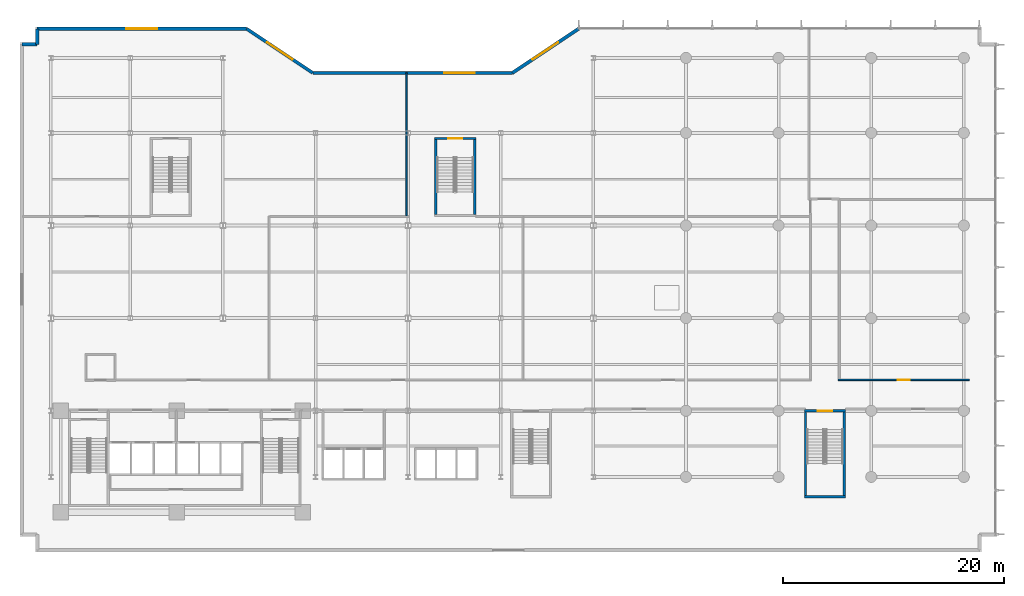
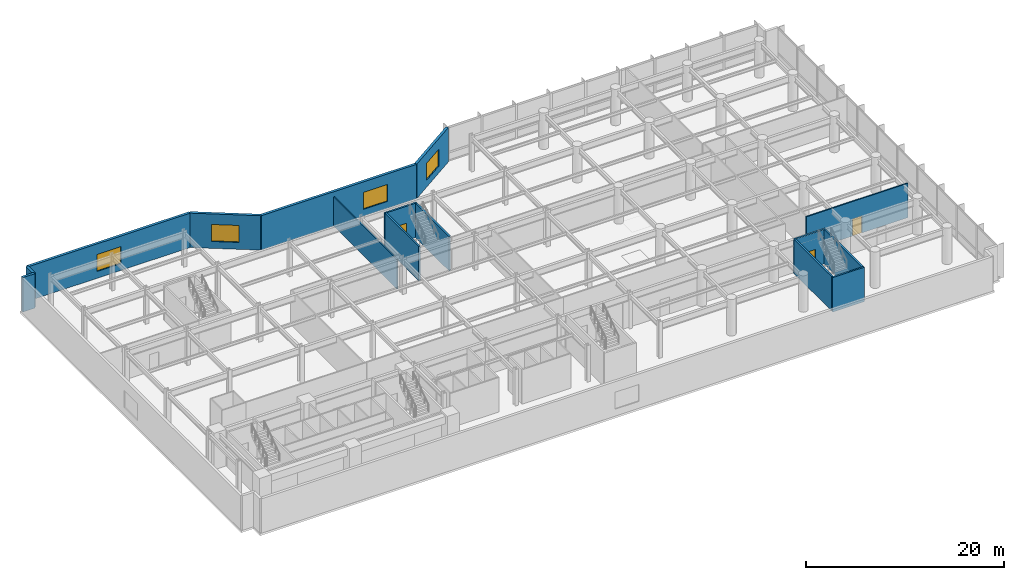
# One storey, part 17 of 26: 15 walls, 4 windows, 3 doors, 7 openings.
"""IFC4 building model written with IfcOpenShell, lengths in metres."""

import ifcopenshell
import ifcopenshell.guid

model = None  # the IFC model being written
_history = None  # IfcOwnerHistory: only IFC2X3 demands one
_inside = {}  # id of a spatial element -> (the spatial element, [elements in it])
_under = {}  # id of a project, library or spatial element -> (it, [spatial elements below it])
_declared = {}  # id of a project -> (the project, [libraries it declares])
_typed = {}  # id of a type object -> (the type object, [elements of that type])
_made_of = {}  # id of a material, layer set ... -> (it, [elements and type objects made of it])


def new_model(schema):
    """Start an empty IFC model of exactly this schema.

    Asked for "IFC4X3", IfcOpenShell would pick the latest addendum, in which some entities
    have other attributes; the version numbers below select the first issue.
    IFC2X3 requires an IfcOwnerHistory on every rooted entity: one is made here for all.
    """
    global model, _history
    if schema == "IFC4X3":
        model = ifcopenshell.file(schema_version=(4, 3, 0, 0))
    else:
        model = ifcopenshell.file(schema=schema)
    _inside.clear()
    _under.clear()
    _declared.clear()
    _typed.clear()
    _made_of.clear()
    _history = None
    if model.schema == "IFC2X3":
        org = make("IfcOrganization", Name="unknown")
        user = make(
            "IfcPersonAndOrganization",
            ThePerson=make("IfcPerson", FamilyName="unknown"),
            TheOrganization=org,
        )
        app = make(
            "IfcApplication",
            ApplicationDeveloper=org,
            Version="unknown",
            ApplicationFullName="unknown",
            ApplicationIdentifier="unknown",
        )
        _history = make(
            "IfcOwnerHistory",
            OwningUser=user,
            OwningApplication=app,
            ChangeAction="ADDED",
            CreationDate=0,
        )
    return model


def make(cls, **values):
    """One entity of the class cls with the attributes given. An attribute that is None is left unset."""
    return model.create_entity(
        cls, **{name: value for name, value in values.items() if value is not None}
    )


def rooted(cls, **values):
    """An entity with a GlobalId (a new one), such as an element, a storey or a relation."""
    return make(cls, GlobalId=ifcopenshell.guid.new(), OwnerHistory=_history, **values)


def si_unit(unit_type, name, prefix=None):
    """IfcSIUnit, for example si_unit("LENGTHUNIT", "METRE", prefix="MILLI")."""
    return make("IfcSIUnit", UnitType=unit_type, Prefix=prefix, Name=name)


def assignment(units):
    """IfcUnitAssignment: the units of a project."""
    return None if units is None else make("IfcUnitAssignment", Units=units)


def point(xyz):
    """IfcCartesianPoint."""
    return None if xyz is None else make("IfcCartesianPoint", Coordinates=xyz)


def direction(xyz):
    """IfcDirection."""
    return None if xyz is None else make("IfcDirection", DirectionRatios=xyz)


def frame(location, z_axis=None, x_axis=None):
    """IfcAxis2Placement3D, a coordinate frame: its origin and axes. An axis left out is left unset."""
    return make(
        "IfcAxis2Placement3D",
        Location=point(location),
        Axis=direction(z_axis),
        RefDirection=direction(x_axis),
    )


def frame_2d(location, x_axis=None):
    """IfcAxis2Placement2D, a coordinate frame in the plane: its origin and x axis."""
    return make(
        "IfcAxis2Placement2D", Location=point(location), RefDirection=direction(x_axis)
    )


def origin():
    """The frame at (0, 0, 0) with its axes left unset."""
    return frame((0.0, 0.0, 0.0))


def place(relative_to, where):
    """IfcLocalPlacement: puts the frame where relative to a parent placement (None: the world)."""
    return make(
        "IfcLocalPlacement", PlacementRelTo=relative_to, RelativePlacement=where
    )


def context(
    kind, dimensions, precision=None, world=None, true_north=None, identifier=None
):
    """IfcGeometricRepresentationContext, for example the 3D "Model" context."""
    return make(
        "IfcGeometricRepresentationContext",
        ContextIdentifier=identifier,
        ContextType=kind,
        CoordinateSpaceDimension=dimensions,
        Precision=precision,
        WorldCoordinateSystem=world,
        TrueNorth=true_north,
    )


def subcontext(parent, identifier, kind, view, scale=None):
    """IfcGeometricRepresentationSubContext, for example "Body" below "Model"."""
    return make(
        "IfcGeometricRepresentationSubContext",
        ContextIdentifier=identifier,
        ContextType=kind,
        ParentContext=parent,
        TargetScale=scale,
        TargetView=view,
    )


def project(units=None, contexts=None):
    """IfcProject with its units and contexts."""
    return rooted(
        "IfcProject",
        Name="project",
        RepresentationContexts=contexts,
        UnitsInContext=assignment(units),
    )


def spatial(cls, under=None, at=None, **own):
    """A site, building, storey or space (cls), placed at a placement, below another one or the project."""
    s = rooted(cls, ObjectPlacement=at, **own)
    if under is not None:
        _under.setdefault(under.id(), (under, []))[1].append(s)
    return s


def profile(cls, at=None, kind="AREA", **sizes):
    """A parametric profile (cls). Its sizes go by their IFC names, for example OverallWidth=200.0."""
    return make(cls, ProfileType=kind, Position=at, **sizes)


def rectangle(**sizes):
    """IfcRectangleProfileDef."""
    return profile("IfcRectangleProfileDef", **sizes)


def extrude(swept, where, along, depth):
    """IfcExtrudedAreaSolid: the profile swept, set in the frame where, extruded along a direction by depth."""
    return make(
        "IfcExtrudedAreaSolid",
        SweptArea=swept,
        Position=where,
        ExtrudedDirection=direction(along),
        Depth=depth,
    )


def shape(context_of_items, identifier, shape_type, items):
    """IfcShapeRepresentation: the items that make up one representation, for example the "Body"."""
    return make(
        "IfcShapeRepresentation",
        ContextOfItems=context_of_items,
        RepresentationIdentifier=identifier,
        RepresentationType=shape_type,
        Items=items,
    )


def material(Name=None, Category=None):
    """IfcMaterial."""
    return make("IfcMaterial", Name=Name, Category=Category)


def layer(
    of_material, thickness, ventilated=None, Name=None, Category=None, Priority=None
):
    """IfcMaterialLayer: one layer of a wall or slab, of a material (None: an air gap)."""
    return make(
        "IfcMaterialLayer",
        Material=of_material,
        LayerThickness=thickness,
        IsVentilated=ventilated,
        Name=Name,
        Category=Category,
        Priority=Priority,
    )


def layer_set(layers, Name=None):
    """IfcMaterialLayerSet."""
    return make("IfcMaterialLayerSet", MaterialLayers=layers, LayerSetName=Name)


def made_of(thing, what):
    """Note that an element or type object is made of a material, layer set ...; save() writes the relation."""
    if what is not None:
        _made_of.setdefault(what.id(), (what, []))[1].append(thing)
    return thing


def type_object(cls, material=None, **own):
    """A type object (cls), such as IfcWallType, which elements share."""
    return made_of(rooted(cls, **own), material)


def element(
    cls,
    number,
    at=None,
    inside=None,
    cuts=None,
    type_object=None,
    material=None,
    context=None,
    identifier="Body",
    shape_type=None,
    held_by="IfcProductDefinitionShape",
    body=None,
    shapes=None,
    **own,
):
    """One element of the class cls, such as IfcWall. Its Tag is "e" and its number.

    at: its placement. inside: the storey or other place that contains it. cuts: it is an
    opening in that element (IfcRelVoidsElement). A single representation is given by context,
    identifier, shape_type and body (its items); several are given by shapes. held_by: the class
    of the entity that holds the representations. save() writes the other relations.
    """
    e = rooted(cls, Tag="e%d" % number, ObjectPlacement=at, **own)
    if body is not None:
        shapes = [shape(context, identifier, shape_type, body)]
    if shapes is not None:
        e.Representation = make(held_by, Representations=shapes)
    if inside is not None:
        _inside.setdefault(inside.id(), (inside, []))[1].append(e)
    if cuts is not None:
        rooted(
            "IfcRelVoidsElement", RelatingBuildingElement=cuts, RelatedOpeningElement=e
        )
    if type_object is not None:
        _typed.setdefault(type_object.id(), (type_object, []))[1].append(e)
    return made_of(e, material)


def fill(opening, filler):
    """IfcRelFillsElement: the door or window that sits in an opening."""
    return rooted(
        "IfcRelFillsElement",
        RelatingOpeningElement=opening,
        RelatedBuildingElement=filler,
    )


def aggregate(whole, parts):
    """IfcRelAggregates: a whole, such as a stair, and the parts it consists of."""
    return rooted("IfcRelAggregates", RelatingObject=whole, RelatedObjects=parts)


def save(model, path):
    """Write the relations noted so far, then the file.

    IfcRelAggregates (storeys below a building ...), IfcRelContainedInSpatialStructure (elements
    in a storey), IfcRelDefinesByType, IfcRelAssociatesMaterial and IfcRelDeclares: one each for
    every whole, place, type object, material and project.
    """
    for whole, parts in _under.values():
        aggregate(whole, parts)
    for where, things in _inside.values():
        rooted(
            "IfcRelContainedInSpatialStructure",
            RelatedElements=things,
            RelatingStructure=where,
        )
    for kind, things in _typed.values():
        rooted("IfcRelDefinesByType", RelatedObjects=things, RelatingType=kind)
    for what, things in _made_of.values():
        rooted("IfcRelAssociatesMaterial", RelatedObjects=things, RelatingMaterial=what)
    for by, libraries in _declared.values():
        rooted("IfcRelDeclares", RelatingContext=by, RelatedDefinitions=libraries)
    model.write(path)


model = new_model("IFC4")

# Units and contexts
model_context = context("Model", 3, precision=1e-05, world=origin(), true_north=direction((0.0, 1.0)))
body_context = subcontext(model_context, "Body", "Model", "MODEL_VIEW")
ifc_project = project(units=[si_unit("LENGTHUNIT", "METRE"), si_unit("AREAUNIT", "SQUARE_METRE"), si_unit("VOLUMEUNIT", "CUBIC_METRE"), si_unit("PLANEANGLEUNIT", "RADIAN"), si_unit("MASSUNIT", "GRAM", prefix="KILO")], contexts=[model_context])

# Site, building, storey
site_placement = place(None, origin())
site = spatial("IfcSite", under=ifc_project, at=site_placement, CompositionType="ELEMENT")
building_placement = place(site_placement, origin())
building = spatial("IfcBuilding", under=site, at=building_placement, Name="Varnakote Quay Hospital", CompositionType="ELEMENT")
storey_placement = place(building_placement, frame((0.0, 0.0, 9.0)))
storey = spatial("IfcBuildingStorey", under=building, at=storey_placement, Name="L02", CompositionType="ELEMENT", Elevation=9.0)

# Wall, opening, window
ifc_material_1 = material(Name="Precast concrete N50 (f'c 50 MPa)", Category="concrete")
ifc_layer_1 = layer(ifc_material_1, 0.300048828125)
ifc_layer_set_1 = layer_set([ifc_layer_1], Name="Precast concrete N50 (f'c 50 MPa)")
wall_type_1 = type_object("IfcWallType", Name="WL-EXT-BRICK-300", PredefinedType="STANDARD", material=ifc_layer_set_1)
wall_1_placement = place(storey_placement, frame((49.04833984375, 46.639892578125, 0.0), z_axis=(0.0, 0.0, 1.0), x_axis=(-0.832050294338, -0.554700196225, 0.0)))
wall_1 = element("IfcWall", 1, at=wall_1_placement, inside=storey, type_object=wall_type_1, Name="L02 Brick-Faced Precast Exterior Wall", PredefinedType="STANDARD", context=body_context, shape_type="SweptSolid", body=[
    extrude(rectangle(XDim=7.211181640625, YDim=0.300048828125, at=frame_2d((3.60546875, 0.0))), origin(), (0.0, 0.0, 1.0), 4.25),
])
opening_1_placement = place(wall_1_placement, frame((2.20556640625, 0.0, 0.85009765625)))
opening_1 = element("IfcOpeningElement", 2, at=opening_1_placement, cuts=wall_1, Name="Opening WN-0014", PredefinedType="OPENING", context=body_context, shape_type="SweptSolid", body=[
    extrude(rectangle(XDim=2.800048828125, YDim=2.10009765625, at=frame_2d((1.39990234375, 1.050048828125))), frame((0.0, 0.159912109375, 0.0), z_axis=(0.0, -1.0, 0.0), x_axis=(1.0, 0.0, 0.0)), (0.0, 0.0, 1.0), 0.320068359375),
])
ifc_material_2 = material(Name="Double-glazed acoustic laminated glass", Category="glass")
window_type = type_object("IfcWindowType", Name="WIN-POD-2800x2100", PartitioningType="SINGLE_PANEL", PredefinedType="WINDOW", material=ifc_material_2)
window_1_placement = place(opening_1_placement, origin())
window_1 = element("IfcWindow", 3, at=window_1_placement, inside=storey, type_object=window_type, Name="L02 Solar-Control Clinical Window", OverallHeight=2.10009765625, OverallWidth=2.800048828125, PartitioningType="SINGLE_PANEL", PredefinedType="WINDOW", context=body_context, shape_type="SweptSolid", body=[
    extrude(rectangle(XDim=2.800048828125, YDim=2.10009765625, at=frame_2d((1.39990234375, 1.050048828125))), frame((0.0, 0.030029296875, 0.0), z_axis=(0.0, -1.0, 0.0), x_axis=(1.0, 0.0, 0.0)), (0.0, 0.0, 1.0), 0.06005859375),
])
fill(opening_1, window_1)

wall_2_placement = place(storey_placement, frame((43.04833984375, 42.639892578125, 0.0), z_axis=(0.0, 0.0, 1.0), x_axis=(-1.0, 0.0, 0.0)))
wall_2 = element("IfcWall", 4, at=wall_2_placement, inside=storey, type_object=wall_type_1, Name="L02 Brick-Faced Precast Exterior Wall", PredefinedType="STANDARD", context=body_context, shape_type="SweptSolid", body=[
    extrude(rectangle(XDim=18.0966796875, YDim=0.300048828125, at=frame_2d((9.04833984375, 0.0))), origin(), (0.0, 0.0, 1.0), 4.25),
])
opening_2_placement = place(wall_2_placement, frame((3.38916015625, 0.0, 0.85009765625)))
opening_2 = element("IfcOpeningElement", 5, at=opening_2_placement, cuts=wall_2, Name="Opening WN-0015", PredefinedType="OPENING", context=body_context, shape_type="SweptSolid", body=[
    extrude(rectangle(XDim=2.800048828125, YDim=2.10009765625, at=frame_2d((1.39990234375, 1.050048828125))), frame((0.0, 0.159912109375, 0.0), z_axis=(0.0, -1.0, 0.0), x_axis=(1.0, 0.0, 0.0)), (0.0, 0.0, 1.0), 0.320068359375),
])
window_2_placement = place(opening_2_placement, origin())
window_2 = element("IfcWindow", 6, at=window_2_placement, inside=storey, type_object=window_type, Name="L02 Solar-Control Clinical Window", OverallHeight=2.10009765625, OverallWidth=2.800048828125, PartitioningType="SINGLE_PANEL", PredefinedType="WINDOW", context=body_context, shape_type="SweptSolid", body=[
    extrude(rectangle(XDim=2.800048828125, YDim=2.10009765625, at=frame_2d((1.39990234375, 1.050048828125))), frame((0.0, 0.030029296875, 0.0), z_axis=(0.0, -1.0, 0.0), x_axis=(1.0, 0.0, 0.0)), (0.0, 0.0, 1.0), 0.06005859375),
])
fill(opening_2, window_2)

wall_3_placement = place(storey_placement, frame((24.95166015625, 42.639892578125, 0.0), z_axis=(0.0, 0.0, 1.0), x_axis=(-0.832050294338, 0.554700196225, 0.0)))
wall_3 = element("IfcWall", 7, at=wall_3_placement, inside=storey, type_object=wall_type_1, Name="L02 Brick-Faced Precast Exterior Wall", PredefinedType="STANDARD", context=body_context, shape_type="SweptSolid", body=[
    extrude(rectangle(XDim=7.211181640625, YDim=0.300048828125, at=frame_2d((3.60546875, 0.0))), origin(), (0.0, 0.0, 1.0), 4.25),
])
opening_3_placement = place(wall_3_placement, frame((2.20556640625, 0.0, 0.85009765625)))
opening_3 = element("IfcOpeningElement", 8, at=opening_3_placement, cuts=wall_3, Name="Opening WN-0016", PredefinedType="OPENING", context=body_context, shape_type="SweptSolid", body=[
    extrude(rectangle(XDim=2.800048828125, YDim=2.10009765625, at=frame_2d((1.39990234375, 1.050048828125))), frame((0.0, 0.159912109375, 0.0), z_axis=(0.0, -1.0, 0.0), x_axis=(1.0, 0.0, 0.0)), (0.0, 0.0, 1.0), 0.320068359375),
])
window_3_placement = place(opening_3_placement, origin())
window_3 = element("IfcWindow", 9, at=window_3_placement, inside=storey, type_object=window_type, Name="L02 Solar-Control Clinical Window", OverallHeight=2.10009765625, OverallWidth=2.800048828125, PartitioningType="SINGLE_PANEL", PredefinedType="WINDOW", context=body_context, shape_type="SweptSolid", body=[
    extrude(rectangle(XDim=2.800048828125, YDim=2.10009765625, at=frame_2d((1.39990234375, 1.050048828125))), frame((0.0, 0.030029296875, 0.0), z_axis=(0.0, -1.0, 0.0), x_axis=(1.0, 0.0, 0.0)), (0.0, 0.0, 1.0), 0.06005859375),
])
fill(opening_3, window_3)

wall_4_placement = place(storey_placement, frame((18.95166015625, 46.639892578125, 0.0), z_axis=(0.0, 0.0, 1.0), x_axis=(-1.0, 0.0, 0.0)))
wall_4 = element("IfcWall", 10, at=wall_4_placement, inside=storey, type_object=wall_type_1, Name="L02 Brick-Faced Precast Exterior Wall", PredefinedType="STANDARD", context=body_context, shape_type="SweptSolid", body=[
    extrude(rectangle(XDim=18.99169921875, YDim=0.300048828125, at=frame_2d((9.495849609375, 0.0))), origin(), (0.0, 0.0, 1.0), 4.25),
])
opening_4_placement = place(wall_4_placement, frame((8.095703125, 0.0, 0.85009765625)))
opening_4 = element("IfcOpeningElement", 11, at=opening_4_placement, cuts=wall_4, Name="Opening WN-0017", PredefinedType="OPENING", context=body_context, shape_type="SweptSolid", body=[
    extrude(rectangle(XDim=2.800048828125, YDim=2.10009765625, at=frame_2d((1.39990234375, 1.050048828125))), frame((0.0, 0.159912109375, 0.0), z_axis=(0.0, -1.0, 0.0), x_axis=(1.0, 0.0, 0.0)), (0.0, 0.0, 1.0), 0.320068359375),
])
window_4_placement = place(opening_4_placement, origin())
window_4 = element("IfcWindow", 12, at=window_4_placement, inside=storey, type_object=window_type, Name="L02 Solar-Control Clinical Window", OverallHeight=2.10009765625, OverallWidth=2.800048828125, PartitioningType="SINGLE_PANEL", PredefinedType="WINDOW", context=body_context, shape_type="SweptSolid", body=[
    extrude(rectangle(XDim=2.800048828125, YDim=2.10009765625, at=frame_2d((1.39990234375, 1.050048828125))), frame((0.0, 0.030029296875, 0.0), z_axis=(0.0, -1.0, 0.0), x_axis=(1.0, 0.0, 0.0)), (0.0, 0.0, 1.0), 0.06005859375),
])
fill(opening_4, window_4)

# Walls
for number, where, z_axis, x_axis, name in (
    (13, (-0.0400390625, 46.639892578125, 0.0), (0.0, 0.0, 1.0), (0.0, -1.0, 0.0), "L02 Brick-Faced Precast Exterior Wall"),
    (14, (-0.0400390625, 45.239990234375, 0.0), (0.0, 0.0, 1.0), (-1.0, 0.0, 0.0), "L02 Brick-Faced Precast Exterior Wall"),
):
    element("IfcWall", number, at=place(storey_placement, frame(where, z_axis=z_axis, x_axis=x_axis)), inside=storey, type_object=wall_type_1, Name=name, PredefinedType="STANDARD", context=body_context, shape_type="SweptSolid", body=[
        extrude(rectangle(XDim=1.39990234375, YDim=0.300048828125, at=frame_2d((0.699951171875, 0.0))), origin(), (0.0, 0.0, 1.0), 4.25),
    ])
ifc_material_3 = material(Name="Concrete N50 (f'c 50 MPa)", Category="concrete")
ifc_layer_2 = layer(ifc_material_3, 0.199951171875)
ifc_layer_set_2 = layer_set([ifc_layer_2], Name="Concrete N50 (f'c 50 MPa)")
wall_type_2 = type_object("IfcWallType", Name="WL-SHAFT-N50-200", PredefinedType="SHEAR", material=ifc_layer_set_2)
wall_5_placement = place(storey_placement, frame((69.550048828125, 4.199951171875, 0.0), z_axis=(0.0, 0.0, 1.0), x_axis=(1.0, 0.0, 0.0)))
element("IfcWall", 15, at=wall_5_placement, inside=storey, type_object=wall_type_2, Name="L02 Stair ST6 South Shaft Wall", PredefinedType="SHEAR", context=body_context, shape_type="SweptSolid", body=[
    extrude(rectangle(XDim=3.699951171875, YDim=0.199951171875, at=frame_2d((1.85009765625, 0.0))), origin(), (0.0, 0.0, 1.0), 4.25),
])
for number, where, z_axis, x_axis, name in (
    (16, (69.64990234375, 4.300048828125, 0.0), (0.0, 0.0, 1.0), (0.0, 1.0, 0.0), "L02 Stair ST6 West Shaft Wall"),
    (17, (73.14990234375, 4.300048828125, 0.0), (0.0, 0.0, 1.0), (0.0, 1.0, 0.0), "L02 Stair ST6 East Shaft Wall"),
):
    element("IfcWall", number, at=place(storey_placement, frame(where, z_axis=z_axis, x_axis=x_axis)), inside=storey, type_object=wall_type_2, Name=name, PredefinedType="SHEAR", context=body_context, shape_type="SweptSolid", body=[
        extrude(rectangle(XDim=7.599853515625, YDim=0.199951171875, at=frame_2d((3.7998046875, 0.0))), origin(), (0.0, 0.0, 1.0), 4.25),
    ])

# Wall, opening, door
wall_6_placement = place(storey_placement, frame((69.550048828125, 12.0, 0.0), z_axis=(0.0, 0.0, 1.0), x_axis=(1.0, 0.0, 0.0)))
wall_6 = element("IfcWall", 18, at=wall_6_placement, inside=storey, type_object=wall_type_2, Name="L02 Stair ST6 Exit Wall", PredefinedType="SHEAR", context=body_context, shape_type="SweptSolid", body=[
    extrude(rectangle(XDim=3.699951171875, YDim=0.199951171875, at=frame_2d((1.85009765625, 0.0))), origin(), (0.0, 0.0, 1.0), 4.25),
])
opening_5_placement = place(wall_6_placement, frame((1.199951171875, 0.0, 0.0)))
opening_5 = element("IfcOpeningElement", 19, at=opening_5_placement, cuts=wall_6, Name="Opening D-ST6-L02", PredefinedType="OPENING", context=body_context, shape_type="SweptSolid", body=[
    extrude(rectangle(XDim=1.300048828125, YDim=2.14990234375, at=frame_2d((0.64990234375, 1.074951171875))), frame((0.0, 0.10986328125, 0.0), z_axis=(0.0, -1.0, 0.0), x_axis=(1.0, 0.0, 0.0)), (0.0, 0.0, 1.0), 0.219970703125),
])
ifc_material_4 = material(Name="Fire-rated ceramic-glazed timber exit door", Category="wood")
door_type_1 = type_object("IfcDoorType", Name="DR-STAIR-FD60S-1300x2150", OperationType="NOTDEFINED", PredefinedType="DOOR", material=ifc_material_4)
door_1_placement = place(opening_5_placement, origin())
door_1 = element("IfcDoor", 20, at=door_1_placement, inside=storey, type_object=door_type_1, Name="L02 Stair ST6 Fire Exit Door", OperationType="SINGLE_SWING_LEFT", OverallHeight=2.14990234375, OverallWidth=1.300048828125, PredefinedType="DOOR", context=body_context, shape_type="SweptSolid", body=[
    extrude(rectangle(XDim=1.300048828125, YDim=2.14990234375, at=frame_2d((0.64990234375, 1.074951171875))), frame((0.0, 0.02490234375, 0.0), z_axis=(0.0, -1.0, 0.0), x_axis=(1.0, 0.0, 0.0)), (0.0, 0.0, 1.0), 0.050048828125),
])
fill(opening_5, door_1)

# Walls
for number, where, z_axis, x_axis, name in (
    (21, (36.10009765625, 29.800048828125, 0.0), (0.0, 0.0, 1.0), (0.0, 1.0, 0.0), "L02 Stair ST5 West Shaft Wall"),
    (22, (39.639892578125, 29.800048828125, 0.0), (0.0, 0.0, 1.0), (0.0, 1.0, 0.0), "L02 Stair ST5 East Shaft Wall"),
):
    element("IfcWall", number, at=place(storey_placement, frame(where, z_axis=z_axis, x_axis=x_axis)), inside=storey, type_object=wall_type_2, Name=name, PredefinedType="SHEAR", context=body_context, shape_type="SweptSolid", body=[
        extrude(rectangle(XDim=6.800048828125, YDim=0.199951171875, at=frame_2d((3.39990234375, 0.0))), origin(), (0.0, 0.0, 1.0), 4.25),
    ])

# Wall, opening, door
wall_7_placement = place(storey_placement, frame((36.0, 36.699951171875, 0.0), z_axis=(0.0, 0.0, 1.0), x_axis=(1.0, 0.0, 0.0)))
wall_7 = element("IfcWall", 23, at=wall_7_placement, inside=storey, type_object=wall_type_2, Name="L02 Stair ST5 Exit Wall", PredefinedType="SHEAR", context=body_context, shape_type="SweptSolid", body=[
    extrude(rectangle(XDim=3.739990234375, YDim=0.199951171875, at=frame_2d((1.8701171875, 0.0))), origin(), (0.0, 0.0, 1.0), 4.25),
])
opening_6_placement = place(wall_7_placement, frame((1.219970703125, 0.0, 0.0)))
opening_6 = element("IfcOpeningElement", 24, at=opening_6_placement, cuts=wall_7, Name="Opening D-ST5-L02", PredefinedType="OPENING", context=body_context, shape_type="SweptSolid", body=[
    extrude(rectangle(XDim=1.300048828125, YDim=2.14990234375, at=frame_2d((0.64990234375, 1.074951171875))), frame((0.0, 0.10986328125, 0.0), z_axis=(0.0, -1.0, 0.0), x_axis=(1.0, 0.0, 0.0)), (0.0, 0.0, 1.0), 0.219970703125),
])
door_2_placement = place(opening_6_placement, origin())
door_2 = element("IfcDoor", 25, at=door_2_placement, inside=storey, type_object=door_type_1, Name="L02 Stair ST5 Fire Exit Door", OperationType="SINGLE_SWING_LEFT", OverallHeight=2.14990234375, OverallWidth=1.300048828125, PredefinedType="DOOR", context=body_context, shape_type="SweptSolid", body=[
    extrude(rectangle(XDim=1.300048828125, YDim=2.14990234375, at=frame_2d((0.64990234375, 1.074951171875))), frame((0.0, 0.02490234375, 0.0), z_axis=(0.0, -1.0, 0.0), x_axis=(1.0, 0.0, 0.0)), (0.0, 0.0, 1.0), 0.050048828125),
])
fill(opening_6, door_2)

# Wall
ifc_material_5 = material(Name="Smoke-proof clinical partition", Category="gypsum")
ifc_layer_3 = layer(ifc_material_5, 0.135009765625)
ifc_layer_set_3 = layer_set([ifc_layer_3], Name="Smoke-proof clinical partition")
wall_type_3 = type_object("IfcWallType", Name="WL-SMOKE-135", PredefinedType="PARTITIONING", material=ifc_layer_set_3)
wall_8_placement = place(storey_placement, frame((33.449951171875, 29.677490234375, 0.0), z_axis=(0.0, 0.0, 1.0), x_axis=(0.0, 1.0, 0.0)))
element("IfcWall", 26, at=wall_8_placement, inside=storey, type_object=wall_type_3, Name="L02 Clinical Interior Partition", PredefinedType="PARTITIONING", context=body_context, shape_type="SweptSolid", body=[
    extrude(rectangle(XDim=12.96240234375, YDim=0.135009765625, at=frame_2d((6.481201171875, 0.0))), origin(), (0.0, 0.0, 1.0), 3.623046875),
])

# Wall, opening, door
ifc_material_6 = material(Name="Fire-rated clinical gypsum partition", Category="gypsum")
ifc_layer_4 = layer(ifc_material_6, 0.14990234375)
ifc_layer_set_4 = layer_set([ifc_layer_4], Name="Fire-rated clinical gypsum partition")
wall_type_4 = type_object("IfcWallType", Name="WL-WARD-150", PredefinedType="PARTITIONING", material=ifc_layer_set_4)
wall_9_placement = place(storey_placement, frame((84.5, 14.800048828125, 0.0), z_axis=(0.0, 0.0, 1.0), x_axis=(-1.0, 0.0, 0.0)))
wall_9 = element("IfcWall", 27, at=wall_9_placement, inside=storey, type_object=wall_type_4, Name="L02 Clinical Interior Partition", PredefinedType="PARTITIONING", context=body_context, shape_type="SweptSolid", body=[
    extrude(rectangle(XDim=11.89794921875, YDim=0.14990234375, at=frame_2d((5.948974609375, 0.0))), origin(), (0.0, 0.0, 1.0), 4.25),
])
opening_7_placement = place(wall_9_placement, frame((5.39892578125, 0.0, 0.0)))
opening_7 = element("IfcOpeningElement", 28, at=opening_7_placement, cuts=wall_9, Name="Opening D-L02-EOR9", PredefinedType="OPENING", context=body_context, shape_type="SweptSolid", body=[
    extrude(rectangle(XDim=1.10009765625, YDim=2.10009765625, at=frame_2d((0.550048828125, 1.050048828125))), frame((0.0, 0.0849609375, 0.0), z_axis=(0.0, -1.0, 0.0), x_axis=(1.0, 0.0, 0.0)), (0.0, 0.0, 1.0), 0.169921875),
])
ifc_material_7 = material(Name="Acoustic timber clinical consult door", Category="wood")
door_type_2 = type_object("IfcDoorType", Name="DR-CLIN-FD30S-1100x2100", OperationType="NOTDEFINED", PredefinedType="DOOR", material=ifc_material_7)
door_3_placement = place(opening_7_placement, origin())
door_3 = element("IfcDoor", 29, at=door_3_placement, inside=storey, type_object=door_type_2, Name="L02 Ophthalmic & ENT Day Operating Treatment Suite Door", OperationType="SINGLE_SWING_RIGHT", OverallHeight=2.10009765625, OverallWidth=1.10009765625, PredefinedType="DOOR", context=body_context, shape_type="SweptSolid", body=[
    extrude(rectangle(XDim=1.10009765625, YDim=2.10009765625, at=frame_2d((0.550048828125, 1.050048828125))), frame((0.0, 0.02490234375, 0.0), z_axis=(0.0, -1.0, 0.0), x_axis=(1.0, 0.0, 0.0)), (0.0, 0.0, 1.0), 0.050048828125),
])
fill(opening_7, door_3)

save(model, "model.ifc")
